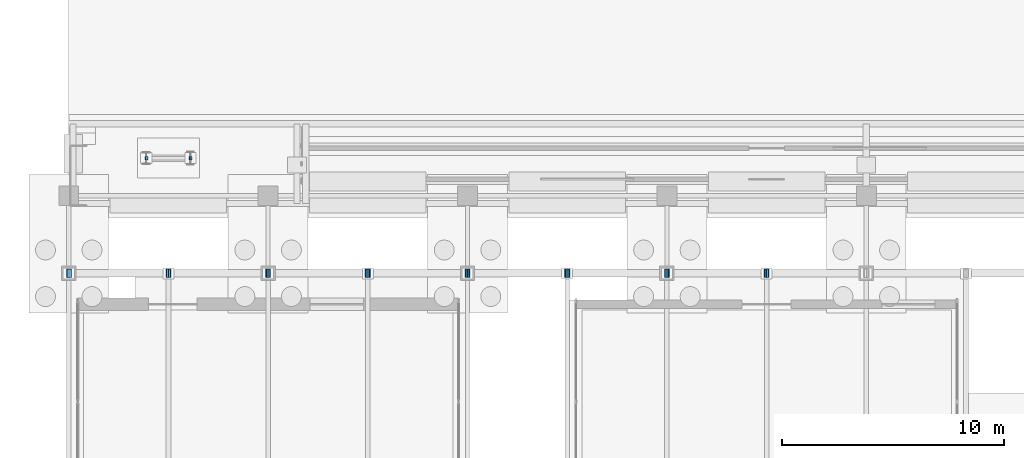
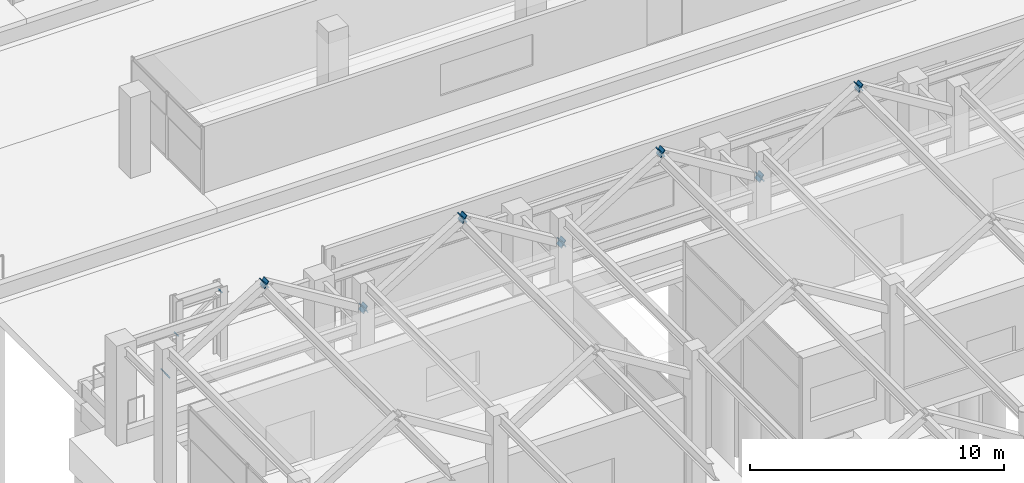
# One storey, part 119 of 160: 17 discrete accessories.
"""IFC4 building model written with IfcOpenShell, lengths in metres."""

from ifc_helpers import new_model, si_unit, direction, frame, origin, origin_2d, place, context, subcontext, project, spatial, rectangle, extrude, material, element, save


model = new_model("IFC4")

# Units and contexts
model_context = context("Model", 3, precision=1e-05, world=origin(), true_north=direction((0.0, 1.0)))
body_context = subcontext(model_context, "Body", "Model", "MODEL_VIEW")
ifc_project = project(units=[si_unit("LENGTHUNIT", "METRE"), si_unit("AREAUNIT", "SQUARE_METRE"), si_unit("VOLUMEUNIT", "CUBIC_METRE"), si_unit("PLANEANGLEUNIT", "RADIAN"), si_unit("MASSUNIT", "GRAM", prefix="KILO")], contexts=[model_context])

# Site, building, storey
site_placement = place(None, origin())
site = spatial("IfcSite", under=ifc_project, at=site_placement, CompositionType="ELEMENT")
building_placement = place(site_placement, origin())
building = spatial("IfcBuilding", under=site, at=building_placement, Name="Marlcrest Central Station", CompositionType="ELEMENT")
storey_placement = place(building_placement, origin())
storey = spatial("IfcBuildingStorey", under=building, at=storey_placement, Name="L00", CompositionType="ELEMENT", Elevation=0.0)

# Discrete accessories
ifc_material = material(Name="Steel S355", Category="steel")
for number, where, z_axis, x_axis, name in (
    (1, (-0.0126953125, 33.0, 5.192138671875), (0.851591684043, 0.0, 0.524205688322), (0.0, 1.0, 0.0), "endcap-mem-ST-02-L00-00023-s"),
    (2, (4.478759765625, 33.0, 7.956787109375), (0.851591684043, 0.0, 0.524205688322), (0.0, 1.0, 0.0), "endcap-mem-ST-02-L00-00023-e"),
    (3, (9.0126953125, 33.0, 5.192138671875), (-0.851591684043, 0.0, 0.524205688322), (0.0, -1.0, 0.0), "endcap-mem-ST-02-L00-00024-s"),
    (4, (4.521240234375, 33.0, 7.956787109375), (-0.851591684043, 0.0, 0.524205688322), (0.0, -1.0, 0.0), "endcap-mem-ST-02-L00-00024-e"),
    (5, (8.9873046875, 33.0, 5.192138671875), (0.851591684043, 0.0, 0.524205688322), (0.0, 1.0, 0.0), "endcap-mem-ST-02-L00-00029-s"),
    (6, (13.478759765625, 33.0, 7.956787109375), (0.851591684043, 0.0, 0.524205688322), (0.0, 1.0, 0.0), "endcap-mem-ST-02-L00-00029-e"),
    (7, (18.0126953125, 33.0, 5.192138671875), (-0.851591684043, 0.0, 0.524205688322), (0.0, -1.0, 0.0), "endcap-mem-ST-02-L00-00030-s"),
    (8, (13.521240234375, 33.0, 7.956787109375), (-0.851591684043, 0.0, 0.524205688322), (0.0, -1.0, 0.0), "endcap-mem-ST-02-L00-00030-e"),
    (9, (17.9873046875, 33.0, 5.192138671875), (0.851591684043, 0.0, 0.524205688322), (0.0, 1.0, 0.0), "endcap-mem-ST-02-L00-00035-s"),
    (10, (22.478759765625, 33.0, 7.956787109375), (0.851591684043, 0.0, 0.524205688322), (0.0, 1.0, 0.0), "endcap-mem-ST-02-L00-00035-e"),
    (11, (27.0126953125, 33.0, 5.192138671875), (-0.851591684043, 0.0, 0.524205688322), (0.0, -1.0, 0.0), "endcap-mem-ST-02-L00-00036-s"),
    (12, (22.521240234375, 33.0, 7.956787109375), (-0.851591684043, 0.0, 0.524205688322), (0.0, -1.0, 0.0), "endcap-mem-ST-02-L00-00036-e"),
    (13, (26.9873046875, 33.0, 5.192138671875), (0.851591684043, 0.0, 0.524205688322), (0.0, 1.0, 0.0), "endcap-mem-ST-02-L00-00041-s"),
    (14, (31.478759765625, 33.0, 7.956787109375), (0.851591684043, 0.0, 0.524205688322), (0.0, 1.0, 0.0), "endcap-mem-ST-02-L00-00041-e"),
    (15, (31.521240234375, 33.0, 7.956787109375), (-0.851591684043, 0.0, 0.524205688322), (0.0, -1.0, 0.0), "endcap-mem-ST-02-L00-00042-e"),
):
    element("IfcDiscreteAccessory", number, at=place(storey_placement, frame(where, z_axis=z_axis, x_axis=x_axis)), inside=storey, material=ifc_material, Name=name, ObjectType="END_CAP_PLATE", PredefinedType="BRACKET", context=body_context, shape_type="SweptSolid", body=[
        extrude(rectangle(XDim=0.365966796875, YDim=0.365966796875, at=origin_2d()), origin(), (0.0, 0.0, 1.0), 0.0400390625),
    ])
for number, where, z_axis, x_axis, name in (
    (16, (3.48779296875, 38.199951171875, 2.69140625), (0.819203731481, 0.0, 0.57350261231), (0.0, 1.0, 0.0), "endcap-mem-BF-05-L00-02548-s"),
    (17, (5.4794921875, 38.199951171875, 4.085693359375), (0.819203731481, 0.0, 0.57350261231), (0.0, 1.0, 0.0), "endcap-mem-BF-05-L00-02548-e"),
):
    element("IfcDiscreteAccessory", number, at=place(storey_placement, frame(where, z_axis=z_axis, x_axis=x_axis)), inside=storey, material=ifc_material, Name=name, ObjectType="END_CAP_PLATE", PredefinedType="BRACKET", context=body_context, shape_type="SweptSolid", body=[
        extrude(rectangle(XDim=0.166015625, YDim=0.166015625, at=origin_2d()), origin(), (0.0, 0.0, 1.0), 0.0400390625),
    ])

save(model, "model.ifc")
